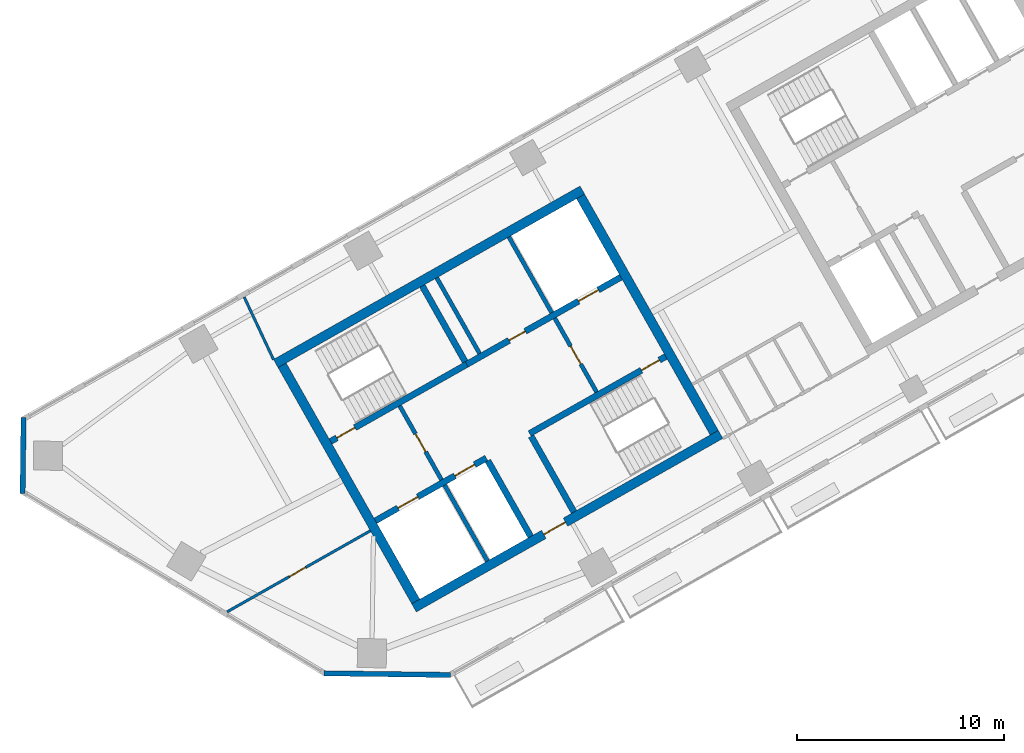
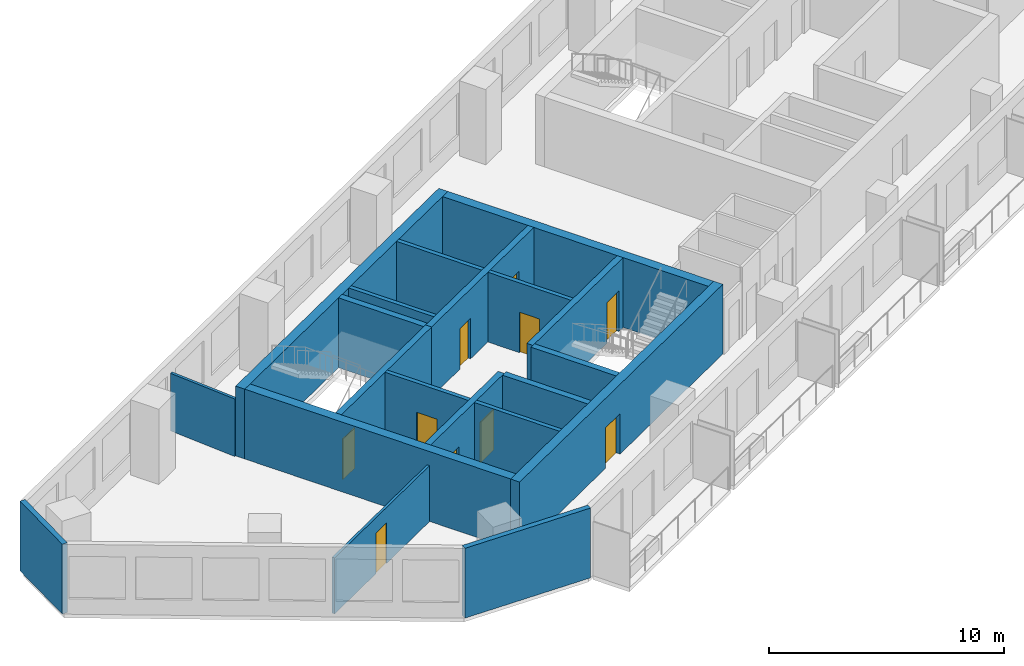
# One storey, part 3 of 12: 20 walls, 10 doors, 10 openings.
"""IFC4 building model written with IfcOpenShell, lengths in metres."""

from ifc_helpers import new_model, si_unit, direction, frame, frame_2d, origin, place, context, subcontext, project, spatial, rectangle, extrude, material, layer, layer_set, type_object, element, fill, save


model = new_model("IFC4")

# Units and contexts
model_context = context("Model", 3, precision=1e-05, world=origin(), true_north=direction((0.0, 1.0)))
body_context = subcontext(model_context, "Body", "Model", "MODEL_VIEW")
ifc_project = project(units=[si_unit("LENGTHUNIT", "METRE"), si_unit("AREAUNIT", "SQUARE_METRE"), si_unit("VOLUMEUNIT", "CUBIC_METRE"), si_unit("PLANEANGLEUNIT", "RADIAN"), si_unit("MASSUNIT", "GRAM", prefix="KILO")], contexts=[model_context])

# Site, building, storey
site_placement = place(None, origin())
site = spatial("IfcSite", under=ifc_project, at=site_placement, CompositionType="ELEMENT")
building_placement = place(site_placement, origin())
building = spatial("IfcBuilding", under=site, at=building_placement, Name="Binnacle Exchange Tower", CompositionType="ELEMENT")
storey_placement = place(building_placement, frame((0.0, 0.0, 250.39990234375)))
storey = spatial("IfcBuildingStorey", under=building, at=storey_placement, Name="L55", CompositionType="ELEMENT", Elevation=250.39990234375)

# Wall, openings, doors
ifc_material_1 = material(Name="Concrete C70/85", Category="concrete")
ifc_layer_1 = layer(ifc_material_1, 0.300048828125)
ifc_layer_set_1 = layer_set([ifc_layer_1], Name="Core wall - front 300")
wall_type_1 = type_object("IfcWallType", Name="Core wall - front 300", PredefinedType="SOLIDWALL", material=ifc_layer_set_1)
wall_1_placement = place(storey_placement, frame((-41.6865234375, 33.88720703125, 0.0), z_axis=(0.0, 0.0, 1.0), x_axis=(0.870355736587, 0.49242348826, 0.0)))
wall_1 = element("IfcWall", 1, at=wall_1_placement, inside=storey, type_object=wall_type_1, Name="Core wall CRWA2", PredefinedType="SOLIDWALL", context=body_context, shape_type="SweptSolid", body=[
    extrude(rectangle(XDim=6.14990234375, YDim=0.300048828125, at=frame_2d((3.074951171875, 0.0))), origin(), (0.0, 0.0, 1.0), 3.6201171875),
])
opening_1_placement = place(wall_1_placement, frame((1.25, 0.0, 0.0)))
opening_1 = element("IfcOpeningElement", 2, at=opening_1_placement, cuts=wall_1, Name="Opening LD12", PredefinedType="OPENING", context=body_context, shape_type="SweptSolid", body=[
    extrude(rectangle(XDim=1.10009765625, YDim=2.10009765625, at=frame_2d((0.550048828125, 1.050048828125))), frame((0.0, 0.159912109375, 0.0), z_axis=(0.0, -1.0, 0.0), x_axis=(1.0, 0.0, 0.0)), (0.0, 0.0, 1.0), 0.320068359375),
])
opening_2_placement = place(wall_1_placement, frame((4.39990234375, 0.0, 0.0)))
opening_2 = element("IfcOpeningElement", 3, at=opening_2_placement, cuts=wall_1, Name="Opening LD8", PredefinedType="OPENING", context=body_context, shape_type="SweptSolid", body=[
    extrude(rectangle(XDim=1.10009765625, YDim=2.10009765625, at=frame_2d((0.550048828125, 1.050048828125))), frame((0.0, 0.159912109375, 0.0), z_axis=(0.0, -1.0, 0.0), x_axis=(1.0, 0.0, 0.0)), (0.0, 0.0, 1.0), 0.320068359375),
])
ifc_material_2 = material(Name="Steel door leaf", Category="steel")
door_type_1 = type_object("IfcDoorType", Name="Fire door - lift landing 1100", OperationType="NOTDEFINED", PredefinedType="DOOR", material=ifc_material_2)
door_1_placement = place(opening_1_placement, origin())
door_1 = element("IfcDoor", 4, at=door_1_placement, inside=storey, type_object=door_type_1, Name="Landing door LD12 L55", OperationType="DOUBLE_DOOR_SLIDING", OverallHeight=2.10009765625, OverallWidth=1.10009765625, PredefinedType="DOOR", context=body_context, shape_type="SweptSolid", body=[
    extrude(rectangle(XDim=1.10009765625, YDim=2.10009765625, at=frame_2d((0.550048828125, 1.050048828125))), frame((0.0, 0.02490234375, 0.0), z_axis=(0.0, -1.0, 0.0), x_axis=(1.0, 0.0, 0.0)), (0.0, 0.0, 1.0), 0.050048828125),
])
fill(opening_1, door_1)
door_2_placement = place(opening_2_placement, origin())
door_2 = element("IfcDoor", 5, at=door_2_placement, inside=storey, type_object=door_type_1, Name="Landing door LD8 L55", OperationType="DOUBLE_DOOR_SLIDING", OverallHeight=2.10009765625, OverallWidth=1.10009765625, PredefinedType="DOOR", context=body_context, shape_type="SweptSolid", body=[
    extrude(rectangle(XDim=1.10009765625, YDim=2.10009765625, at=frame_2d((0.550048828125, 1.050048828125))), frame((0.0, 0.02490234375, 0.0), z_axis=(0.0, -1.0, 0.0), x_axis=(1.0, 0.0, 0.0)), (0.0, 0.0, 1.0), 0.050048828125),
])
fill(opening_2, door_2)

wall_2_placement = place(storey_placement, frame((-37.281982421875, 41.4345703125, 0.0), z_axis=(0.0, 0.0, 1.0), x_axis=(0.870352688754, 0.492428875248, 0.0)))
wall_2 = element("IfcWall", 6, at=wall_2_placement, inside=storey, type_object=wall_type_1, Name="Core wall CRWA5", PredefinedType="SOLIDWALL", context=body_context, shape_type="SweptSolid", body=[
    extrude(rectangle(XDim=8.5498046875, YDim=0.300048828125, at=frame_2d((4.27490234375, 0.0))), origin(), (0.0, 0.0, 1.0), 3.6201171875),
])
opening_3_placement = place(wall_2_placement, frame((6.199951171875, 0.0, 0.0)))
opening_3 = element("IfcOpeningElement", 7, at=opening_3_placement, cuts=wall_2, Name="Opening LD13", PredefinedType="OPENING", context=body_context, shape_type="SweptSolid", body=[
    extrude(rectangle(XDim=1.10009765625, YDim=2.10009765625, at=frame_2d((0.550048828125, 1.050048828125))), frame((0.0, 0.159912109375, 0.0), z_axis=(0.0, -1.0, 0.0), x_axis=(1.0, 0.0, 0.0)), (0.0, 0.0, 1.0), 0.320068359375),
])
opening_4_placement = place(wall_2_placement, frame((2.35009765625, 0.0, 0.0)))
opening_4 = element("IfcOpeningElement", 8, at=opening_4_placement, cuts=wall_2, Name="Opening DA10", PredefinedType="OPENING", context=body_context, shape_type="SweptSolid", body=[
    extrude(rectangle(XDim=0.89990234375, YDim=2.10009765625, at=frame_2d((0.449951171875, 1.050048828125))), frame((0.0, 0.159912109375, 0.0), z_axis=(0.0, -1.0, 0.0), x_axis=(1.0, 0.0, 0.0)), (0.0, 0.0, 1.0), 0.320068359375),
])
door_3_placement = place(opening_3_placement, origin())
door_3 = element("IfcDoor", 9, at=door_3_placement, inside=storey, type_object=door_type_1, Name="Landing door LD13 L55", OperationType="DOUBLE_DOOR_SLIDING", OverallHeight=2.10009765625, OverallWidth=1.10009765625, PredefinedType="DOOR", context=body_context, shape_type="SweptSolid", body=[
    extrude(rectangle(XDim=1.10009765625, YDim=2.10009765625, at=frame_2d((0.550048828125, 1.050048828125))), frame((0.0, 0.02490234375, 0.0), z_axis=(0.0, -1.0, 0.0), x_axis=(1.0, 0.0, 0.0)), (0.0, 0.0, 1.0), 0.050048828125),
])
fill(opening_3, door_3)
door_type_2 = type_object("IfcDoorType", Name="Fire door 900", OperationType="NOTDEFINED", PredefinedType="DOOR", material=ifc_material_2)
door_4_placement = place(opening_4_placement, origin())
door_4 = element("IfcDoor", 10, at=door_4_placement, inside=storey, type_object=door_type_2, Name="Core room door PANTRY", OperationType="SINGLE_SWING_LEFT", OverallHeight=2.10009765625, OverallWidth=0.89990234375, PredefinedType="DOOR", context=body_context, shape_type="SweptSolid", body=[
    extrude(rectangle(XDim=0.89990234375, YDim=2.10009765625, at=frame_2d((0.449951171875, 1.050048828125))), frame((0.0, 0.02490234375, 0.0), z_axis=(0.0, -1.0, 0.0), x_axis=(1.0, 0.0, 0.0)), (0.0, 0.0, 1.0), 0.050048828125),
])
fill(opening_4, door_4)

# Wall
wall_3_placement = place(storey_placement, frame((-36.260009765625, 36.784912109375, 0.0), z_axis=(0.0, 0.0, 1.0), x_axis=(0.492409653846, -0.870363563575, 0.0)))
element("IfcWall", 11, at=wall_3_placement, inside=storey, type_object=wall_type_1, Name="Core wall CRWA13", PredefinedType="SOLIDWALL", context=body_context, shape_type="SweptSolid", body=[
    extrude(rectangle(XDim=4.199951171875, YDim=0.300048828125, at=frame_2d((2.10009765625, 0.0))), origin(), (0.0, 0.0, 1.0), 3.6201171875),
])

# Wall, opening, door
ifc_layer_2 = layer(ifc_material_1, 0.449951171875)
ifc_layer_set_2 = layer_set([ifc_layer_2], Name="Core wall - outer 450")
wall_type_2 = type_object("IfcWallType", Name="Core wall - outer 450", PredefinedType="SOLIDWALL", material=ifc_layer_set_2)
wall_4_placement = place(storey_placement, frame((-39.825439453125, 29.68359375, 0.0), z_axis=(0.0, 0.0, 1.0), x_axis=(0.870353598469, 0.492427267353, 0.0)))
wall_4 = element("IfcWall", 12, at=wall_4_placement, inside=storey, type_object=wall_type_2, Name="Core wall CRWA1", PredefinedType="SOLIDWALL", context=body_context, shape_type="SweptSolid", body=[
    extrude(rectangle(XDim=17.000244140625, YDim=0.449951171875, at=frame_2d((8.5, 0.0))), origin(), (0.0, 0.0, 1.0), 3.6201171875),
])
opening_5_placement = place(wall_4_placement, frame((7.199951171875, 0.0, 0.0)))
opening_5 = element("IfcOpeningElement", 13, at=opening_5_placement, cuts=wall_4, Name="Opening DA7", PredefinedType="OPENING", context=body_context, shape_type="SweptSolid", body=[
    extrude(rectangle(XDim=1.199951171875, YDim=2.10009765625, at=frame_2d((0.60009765625, 1.050048828125))), frame((0.0, 0.23486328125, 0.0), z_axis=(0.0, -1.0, 0.0), x_axis=(1.0, 0.0, 0.0)), (0.0, 0.0, 1.0), 0.469970703125),
])
door_type_3 = type_object("IfcDoorType", Name="Fire door 1200", OperationType="NOTDEFINED", PredefinedType="DOOR", material=ifc_material_2)
door_5_placement = place(opening_5_placement, frame((1.199951171875, 0.0, 0.0), z_axis=(0.0, 0.0, 1.0), x_axis=(-1.0, 0.0, 0.0)))
door_5 = element("IfcDoor", 14, at=door_5_placement, inside=storey, type_object=door_type_3, Name="Lift lobby entrance door core A", OperationType="SINGLE_SWING_RIGHT", OverallHeight=2.10009765625, OverallWidth=1.199951171875, PredefinedType="DOOR", context=body_context, shape_type="SweptSolid", body=[
    extrude(rectangle(XDim=1.199951171875, YDim=2.10009765625, at=frame_2d((0.60009765625, 1.050048828125))), frame((0.0, 0.02490234375, 0.0), z_axis=(0.0, -1.0, 0.0), x_axis=(1.0, 0.0, 0.0)), (0.0, 0.0, 1.0), 0.050048828125),
])
fill(opening_5, door_5)

# Walls
wall_5_placement = place(storey_placement, frame((-46.497802734375, 41.47705078125, 0.0), z_axis=(0.0, 0.0, 1.0), x_axis=(0.870359753402, 0.492416388494, 0.0)))
element("IfcWall", 15, at=wall_5_placement, inside=storey, type_object=wall_type_2, Name="Core wall CRWA6", PredefinedType="SOLIDWALL", context=body_context, shape_type="SweptSolid", body=[
    extrude(rectangle(XDim=17.0, YDim=0.449951171875, at=frame_2d((8.5, 0.0))), origin(), (0.0, 0.0, 1.0), 3.6201171875),
])
for number, where, z_axis, x_axis, name in (
    (16, (-46.191162109375, 41.391845703125, 0.0), (0.0, 0.0, 1.0), (0.492421378713, -0.870356930107, 0.0), "Core wall CRWA7"),
    (17, (-31.78662109375, 49.54150390625, 0.0), (0.0, 0.0, 1.0), (0.492421378713, -0.870356930107, 0.0), "Core wall CRWA22"),
):
    element("IfcWall", number, at=place(storey_placement, frame(where, z_axis=z_axis, x_axis=x_axis)), inside=storey, type_object=wall_type_2, Name=name, PredefinedType="SOLIDWALL", context=body_context, shape_type="SweptSolid", body=[
        extrude(rectangle(XDim=13.099853515625, YDim=0.449951171875, at=frame_2d((6.5498046875, 0.0))), origin(), (0.0, 0.0, 1.0), 3.6201171875),
    ])

# Wall, opening, door
ifc_layer_3 = layer(ifc_material_1, 0.300048828125)
ifc_layer_set_3 = layer_set([ifc_layer_3], Name="Core wall - stair 300")
wall_type_3 = type_object("IfcWallType", Name="Core wall - stair 300", PredefinedType="SOLIDWALL", material=ifc_layer_set_3)
wall_6_placement = place(storey_placement, frame((-34.2451171875, 38.097412109375, 0.0), z_axis=(0.0, 0.0, 1.0), x_axis=(0.870360409231, 0.492415229297, 0.0)))
wall_6 = element("IfcWall", 18, at=wall_6_placement, inside=storey, type_object=wall_type_3, Name="Core wall CRWA3", PredefinedType="SOLIDWALL", context=body_context, shape_type="SweptSolid", body=[
    extrude(rectangle(XDim=7.550048828125, YDim=0.300048828125, at=frame_2d((3.77490234375, 0.0))), origin(), (0.0, 0.0, 1.0), 3.6201171875),
])
opening_6_placement = place(wall_6_placement, frame((6.199951171875, 0.0, 0.0)))
opening_6 = element("IfcOpeningElement", 19, at=opening_6_placement, cuts=wall_6, Name="Opening DA2", PredefinedType="OPENING", context=body_context, shape_type="SweptSolid", body=[
    extrude(rectangle(XDim=1.0, YDim=2.10009765625, at=frame_2d((0.5, 1.050048828125))), frame((0.0, 0.159912109375, 0.0), z_axis=(0.0, -1.0, 0.0), x_axis=(1.0, 0.0, 0.0)), (0.0, 0.0, 1.0), 0.320068359375),
])
door_type_4 = type_object("IfcDoorType", Name="Fire door 1000", OperationType="NOTDEFINED", PredefinedType="DOOR", material=ifc_material_2)
door_6_placement = place(opening_6_placement, frame((1.0, 0.0, 0.0), z_axis=(0.0, 0.0, 1.0), x_axis=(-1.0, 0.0, 0.0)))
door_6 = element("IfcDoor", 20, at=door_6_placement, inside=storey, type_object=door_type_4, Name="Stair door ST-A2", OperationType="SINGLE_SWING_LEFT", OverallHeight=2.10009765625, OverallWidth=1.0, PredefinedType="DOOR", context=body_context, shape_type="SweptSolid", body=[
    extrude(rectangle(XDim=1.0, YDim=2.10009765625, at=frame_2d((0.5, 1.050048828125))), frame((0.0, 0.02490234375, 0.0), z_axis=(0.0, -1.0, 0.0), x_axis=(1.0, 0.0, 0.0)), (0.0, 0.0, 1.0), 0.050048828125),
])
fill(opening_6, door_6)

wall_7_placement = place(storey_placement, frame((-43.853271484375, 37.716796875, 0.0), z_axis=(0.0, 0.0, 1.0), x_axis=(0.870360409231, 0.492415229297, 0.0)))
wall_7 = element("IfcWall", 21, at=wall_7_placement, inside=storey, type_object=wall_type_3, Name="Core wall CRWA4", PredefinedType="SOLIDWALL", context=body_context, shape_type="SweptSolid", body=[
    extrude(rectangle(XDim=7.550048828125, YDim=0.300048828125, at=frame_2d((3.77490234375, 0.0))), origin(), (0.0, 0.0, 1.0), 3.6201171875),
])
opening_7_placement = place(wall_7_placement, frame((0.35009765625, 0.0, 0.0)))
opening_7 = element("IfcOpeningElement", 22, at=opening_7_placement, cuts=wall_7, Name="Opening DA1", PredefinedType="OPENING", context=body_context, shape_type="SweptSolid", body=[
    extrude(rectangle(XDim=1.0, YDim=2.10009765625, at=frame_2d((0.5, 1.050048828125))), frame((0.0, 0.159912109375, 0.0), z_axis=(0.0, -1.0, 0.0), x_axis=(1.0, 0.0, 0.0)), (0.0, 0.0, 1.0), 0.320068359375),
])
door_7_placement = place(opening_7_placement, origin())
door_7 = element("IfcDoor", 23, at=door_7_placement, inside=storey, type_object=door_type_4, Name="Stair door ST-A1", OperationType="SINGLE_SWING_LEFT", OverallHeight=2.10009765625, OverallWidth=1.0, PredefinedType="DOOR", context=body_context, shape_type="SweptSolid", body=[
    extrude(rectangle(XDim=1.0, YDim=2.10009765625, at=frame_2d((0.5, 1.050048828125))), frame((0.0, 0.02490234375, 0.0), z_axis=(0.0, -1.0, 0.0), x_axis=(1.0, 0.0, 0.0)), (0.0, 0.0, 1.0), 0.050048828125),
])
fill(opening_7, door_7)

# Walls
for number, where, z_axis, x_axis, name in (
    (24, (-39.424072265625, 45.220458984375, 0.0), (0.0, 0.0, 1.0), (0.492409653846, -0.870363563575, 0.0), "Core wall CRWA14"),
    (25, (-34.171142578125, 37.966796875, 0.0), (0.0, 0.0, 1.0), (0.492409653846, -0.870363563575, 0.0), "Core wall CRWA16"),
):
    element("IfcWall", number, at=place(storey_placement, frame(where, z_axis=z_axis, x_axis=x_axis)), inside=storey, type_object=wall_type_3, Name=name, PredefinedType="SOLIDWALL", context=body_context, shape_type="SweptSolid", body=[
        extrude(rectangle(XDim=4.199951171875, YDim=0.300048828125, at=frame_2d((2.10009765625, 0.0))), origin(), (0.0, 0.0, 1.0), 3.6201171875),
    ])
ifc_material_3 = material(Name="Bronze aluminium cladding", Category="aluminium")
ifc_layer_4 = layer(ifc_material_3, 0.25)
ifc_layer_set_4 = layer_set([ifc_layer_4], Name="External wall - window wall 250")
wall_type_4 = type_object("IfcWallType", Name="External wall - window wall 250", PredefinedType="STANDARD", material=ifc_layer_set_4)
wall_8_placement = place(storey_placement, frame((-38.06396484375, 26.44482421875, 0.0), z_axis=(0.0, 0.0, 1.0), x_axis=(-0.999914239143, 0.013096349097, 0.0)))
element("IfcWall", 26, at=wall_8_placement, inside=storey, type_object=wall_type_4, Name="External wall EW-G00 L55", PredefinedType="STANDARD", context=body_context, shape_type="SweptSolid", body=[
    extrude(rectangle(XDim=6.114501953125, YDim=0.25, at=frame_2d((3.05712890625, 0.0))), origin(), (0.0, 0.0, 1.0), 3.6201171875),
])
wall_9_placement = place(storey_placement, frame((-58.717041015625, 35.208251953125, 0.0), z_axis=(0.0, 0.0, 1.0), x_axis=(0.01310512158, 0.999914124207, 0.0)))
element("IfcWall", 27, at=wall_9_placement, inside=storey, type_object=wall_type_4, Name="External wall EW-G09 L55", PredefinedType="STANDARD", context=body_context, shape_type="SweptSolid", body=[
    extrude(rectangle(XDim=3.669921875, YDim=0.25, at=frame_2d((1.8349609375, 0.0))), origin(), (0.0, 0.0, 1.0), 3.6201171875),
])

# Wall, opening, door
ifc_material_4 = material(Name="Masonry block wall", Category="masonry")
ifc_layer_5 = layer(ifc_material_4, 0.199951171875)
ifc_layer_set_5 = layer_set([ifc_layer_5], Name="Fire wall - vestibule 200")
wall_type_5 = type_object("IfcWallType", Name="Fire wall - vestibule 200", PredefinedType="PARTITIONING", material=ifc_layer_set_5)
wall_10_placement = place(storey_placement, frame((-40.515625, 39.4326171875, 0.0), z_axis=(0.0, 0.0, 1.0), x_axis=(0.492453559952, -0.87033872216, 0.0)))
wall_10 = element("IfcWall", 28, at=wall_10_placement, inside=storey, type_object=wall_type_5, Name="Core wall CRWA10", PredefinedType="PARTITIONING", context=body_context, shape_type="SweptSolid", body=[
    extrude(rectangle(XDim=4.099853515625, YDim=0.199951171875, at=frame_2d((2.0498046875, 0.0))), origin(), (0.0, 0.0, 1.0), 3.6201171875),
])
opening_8_placement = place(wall_10_placement, frame((1.550048828125, 0.0, 0.0)))
opening_8 = element("IfcOpeningElement", 29, at=opening_8_placement, cuts=wall_10, Name="Opening DA3", PredefinedType="OPENING", context=body_context, shape_type="SweptSolid", body=[
    extrude(rectangle(XDim=1.0, YDim=2.10009765625, at=frame_2d((0.5, 1.050048828125))), frame((0.0, 0.10986328125, 0.0), z_axis=(0.0, -1.0, 0.0), x_axis=(1.0, 0.0, 0.0)), (0.0, 0.0, 1.0), 0.219970703125),
])
door_8_placement = place(opening_8_placement, frame((1.0, 0.0, 0.0), z_axis=(0.0, 0.0, 1.0), x_axis=(-1.0, 0.0, 0.0)))
door_8 = element("IfcDoor", 30, at=door_8_placement, inside=storey, type_object=door_type_4, Name="Vestibule door VEST-W", OperationType="SINGLE_SWING_LEFT", OverallHeight=2.10009765625, OverallWidth=1.0, PredefinedType="DOOR", context=body_context, shape_type="SweptSolid", body=[
    extrude(rectangle(XDim=1.0, YDim=2.10009765625, at=frame_2d((0.5, 1.050048828125))), frame((0.0, 0.02490234375, 0.0), z_axis=(0.0, -1.0, 0.0), x_axis=(1.0, 0.0, 0.0)), (0.0, 0.0, 1.0), 0.050048828125),
])
fill(opening_8, door_8)

wall_11_placement = place(storey_placement, frame((-33.030517578125, 43.66748046875, 0.0), z_axis=(0.0, 0.0, 1.0), x_axis=(0.492408451753, -0.87036424366, 0.0)))
wall_11 = element("IfcWall", 31, at=wall_11_placement, inside=storey, type_object=wall_type_5, Name="Core wall CRWA19", PredefinedType="PARTITIONING", context=body_context, shape_type="SweptSolid", body=[
    extrude(rectangle(XDim=4.099853515625, YDim=0.199951171875, at=frame_2d((2.0498046875, 0.0))), origin(), (0.0, 0.0, 1.0), 3.6201171875),
])
opening_9_placement = place(wall_11_placement, frame((1.550048828125, 0.0, 0.0)))
opening_9 = element("IfcOpeningElement", 32, at=opening_9_placement, cuts=wall_11, Name="Opening DA4", PredefinedType="OPENING", context=body_context, shape_type="SweptSolid", body=[
    extrude(rectangle(XDim=1.0, YDim=2.10009765625, at=frame_2d((0.5, 1.050048828125))), frame((0.0, 0.10986328125, 0.0), z_axis=(0.0, -1.0, 0.0), x_axis=(1.0, 0.0, 0.0)), (0.0, 0.0, 1.0), 0.219970703125),
])
door_9_placement = place(opening_9_placement, origin())
door_9 = element("IfcDoor", 33, at=door_9_placement, inside=storey, type_object=door_type_4, Name="Vestibule door VEST-E", OperationType="SINGLE_SWING_RIGHT", OverallHeight=2.10009765625, OverallWidth=1.0, PredefinedType="DOOR", context=body_context, shape_type="SweptSolid", body=[
    extrude(rectangle(XDim=1.0, YDim=2.10009765625, at=frame_2d((0.5, 1.050048828125))), frame((0.0, 0.02490234375, 0.0), z_axis=(0.0, -1.0, 0.0), x_axis=(1.0, 0.0, 0.0)), (0.0, 0.0, 1.0), 0.050048828125),
])
fill(opening_9, door_9)

ifc_material_5 = material(Name="Gypsum partition")
ifc_layer_6 = layer(ifc_material_5, 0.125)
ifc_layer_set_6 = layer_set([ifc_layer_6], Name="Partition 125")
wall_type_6 = type_object("IfcWallType", Name="Partition 125", PredefinedType="PARTITIONING", material=ifc_layer_set_6)
wall_12_placement = place(storey_placement, frame((-48.843017578125, 29.493896484375, 0.0), z_axis=(0.0, 0.0, 1.0), x_axis=(0.870384139606, 0.492373282705, 0.0)))
wall_12 = element("IfcWall", 34, at=wall_12_placement, inside=storey, type_object=wall_type_6, Name="Partition W01", PredefinedType="PARTITIONING", context=body_context, shape_type="SweptSolid", body=[
    extrude(rectangle(XDim=7.94140625, YDim=0.125, at=frame_2d((3.970703125, 0.0))), origin(), (0.0, 0.0, 1.0), 2.900146484375),
])
opening_10_placement = place(wall_12_placement, frame((3.449951171875, 0.0, 0.0)))
opening_10 = element("IfcOpeningElement", 35, at=opening_10_placement, cuts=wall_12, Name="Opening DL55-01", PredefinedType="OPENING", context=body_context, shape_type="SweptSolid", body=[
    extrude(rectangle(XDim=0.89990234375, YDim=2.10009765625, at=frame_2d((0.449951171875, 1.050048828125))), frame((0.0, 0.072509765625, 0.0), z_axis=(0.0, -1.0, 0.0), x_axis=(1.0, 0.0, 0.0)), (0.0, 0.0, 1.0), 0.14501953125),
])
ifc_material_6 = material(Name="Timber door leaf", Category="wood")
door_type_5 = type_object("IfcDoorType", Name="Door 900", OperationType="NOTDEFINED", PredefinedType="DOOR", material=ifc_material_6)
door_10_placement = place(opening_10_placement, origin())
door_10 = element("IfcDoor", 36, at=door_10_placement, inside=storey, type_object=door_type_5, Name="Door DL55-01", OperationType="SINGLE_SWING_LEFT", OverallHeight=2.10009765625, OverallWidth=0.89990234375, PredefinedType="DOOR", context=body_context, shape_type="SweptSolid", body=[
    extrude(rectangle(XDim=0.89990234375, YDim=2.10009765625, at=frame_2d((0.449951171875, 1.050048828125))), frame((0.0, 0.02490234375, 0.0), z_axis=(0.0, -1.0, 0.0), x_axis=(1.0, 0.0, 0.0)), (0.0, 0.0, 1.0), 0.050048828125),
])
fill(opening_10, door_10)

# Walls
wall_13_placement = place(storey_placement, frame((-48.02197265625, 44.68701171875, 0.0), z_axis=(0.0, 0.0, 1.0), x_axis=(0.424510917438, -0.905422818895, 0.0)))
element("IfcWall", 37, at=wall_13_placement, inside=storey, type_object=wall_type_6, Name="Partition W02", PredefinedType="PARTITIONING", context=body_context, shape_type="SweptSolid", body=[
    extrude(rectangle(XDim=3.328857421875, YDim=0.125, at=frame_2d((1.66455078125, 0.0))), origin(), (0.0, 0.0, 1.0), 2.988037109375),
])
ifc_layer_7 = layer(ifc_material_4, 0.199951171875)
ifc_layer_set_7 = layer_set([ifc_layer_7], Name="Riser wall 200")
wall_type_7 = type_object("IfcWallType", Name="Riser wall 200", PredefinedType="SOLIDWALL", material=ifc_layer_set_7)
wall_14_placement = place(storey_placement, frame((-38.727783203125, 45.614501953125, 0.0), z_axis=(0.0, 0.0, 1.0), x_axis=(0.492409653846, -0.870363563575, 0.0)))
element("IfcWall", 38, at=wall_14_placement, inside=storey, type_object=wall_type_7, Name="Core wall CRWA15", PredefinedType="SOLIDWALL", context=body_context, shape_type="SweptSolid", body=[
    extrude(rectangle(XDim=4.199951171875, YDim=0.199951171875, at=frame_2d((2.10009765625, 0.0))), origin(), (0.0, 0.0, 1.0), 3.6201171875),
])
ifc_layer_8 = layer(ifc_material_4, 0.199951171875)
ifc_layer_set_8 = layer_set([ifc_layer_8], Name="Shaft wall 200")
wall_type_8 = type_object("IfcWallType", Name="Shaft wall 200", PredefinedType="SOLIDWALL", material=ifc_layer_set_8)
for number, where, z_axis, x_axis, name in (
    (39, (-38.348876953125, 35.603271484375, 0.0), (0.0, 0.0, 1.0), (0.492409653846, -0.870363563575, 0.0), "Core wall CRWA9"),
    (40, (-35.246337890625, 47.584228515625, 0.0), (0.0, 0.0, 1.0), (0.492409653846, -0.870363563575, 0.0), "Core wall CRWA21"),
):
    element("IfcWall", number, at=place(storey_placement, frame(where, z_axis=z_axis, x_axis=x_axis)), inside=storey, type_object=wall_type_8, Name=name, PredefinedType="SOLIDWALL", context=body_context, shape_type="SweptSolid", body=[
        extrude(rectangle(XDim=4.199951171875, YDim=0.199951171875, at=frame_2d((2.10009765625, 0.0))), origin(), (0.0, 0.0, 1.0), 3.6201171875),
    ])

save(model, "model.ifc")
